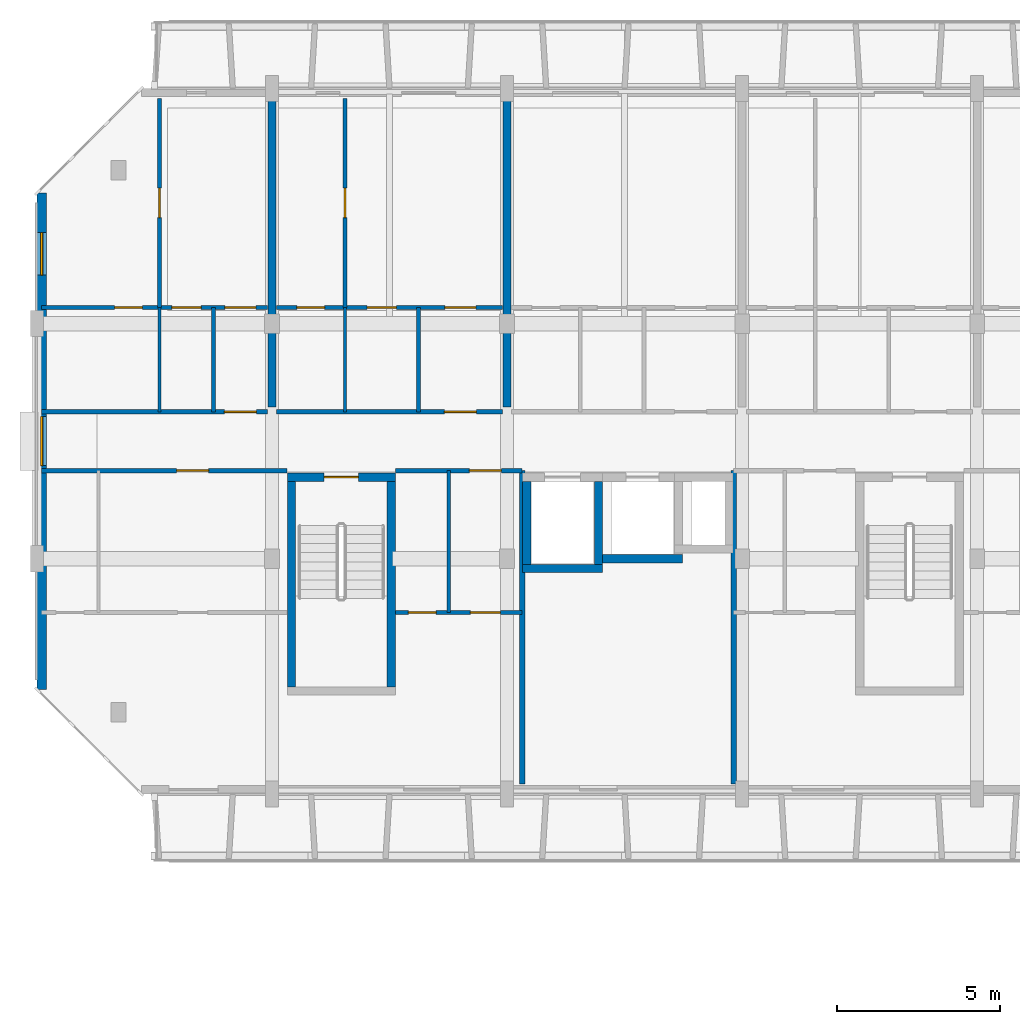
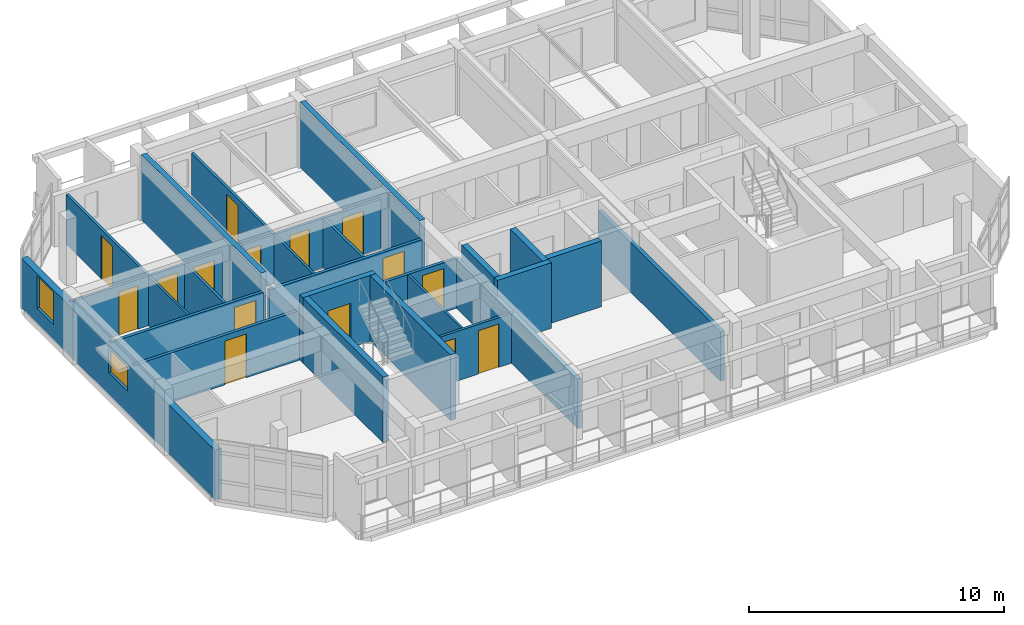
# One storey, part 20 of 45: 26 walls, 15 doors, 2 windows, 17 openings.
"""IFC4 building model written with IfcOpenShell, lengths in metres."""

import ifcopenshell
import ifcopenshell.guid

model = None  # the IFC model being written
_history = None  # IfcOwnerHistory: only IFC2X3 demands one
_inside = {}  # id of a spatial element -> (the spatial element, [elements in it])
_under = {}  # id of a project, library or spatial element -> (it, [spatial elements below it])
_declared = {}  # id of a project -> (the project, [libraries it declares])
_typed = {}  # id of a type object -> (the type object, [elements of that type])
_made_of = {}  # id of a material, layer set ... -> (it, [elements and type objects made of it])


def new_model(schema):
    """Start an empty IFC model of exactly this schema.

    Asked for "IFC4X3", IfcOpenShell would pick the latest addendum, in which some entities
    have other attributes; the version numbers below select the first issue.
    IFC2X3 requires an IfcOwnerHistory on every rooted entity: one is made here for all.
    """
    global model, _history
    if schema == "IFC4X3":
        model = ifcopenshell.file(schema_version=(4, 3, 0, 0))
    else:
        model = ifcopenshell.file(schema=schema)
    _inside.clear()
    _under.clear()
    _declared.clear()
    _typed.clear()
    _made_of.clear()
    _history = None
    if model.schema == "IFC2X3":
        org = make("IfcOrganization", Name="unknown")
        user = make(
            "IfcPersonAndOrganization",
            ThePerson=make("IfcPerson", FamilyName="unknown"),
            TheOrganization=org,
        )
        app = make(
            "IfcApplication",
            ApplicationDeveloper=org,
            Version="unknown",
            ApplicationFullName="unknown",
            ApplicationIdentifier="unknown",
        )
        _history = make(
            "IfcOwnerHistory",
            OwningUser=user,
            OwningApplication=app,
            ChangeAction="ADDED",
            CreationDate=0,
        )
    return model


def make(cls, **values):
    """One entity of the class cls with the attributes given. An attribute that is None is left unset."""
    return model.create_entity(
        cls, **{name: value for name, value in values.items() if value is not None}
    )


def rooted(cls, **values):
    """An entity with a GlobalId (a new one), such as an element, a storey or a relation."""
    return make(cls, GlobalId=ifcopenshell.guid.new(), OwnerHistory=_history, **values)


def si_unit(unit_type, name, prefix=None):
    """IfcSIUnit, for example si_unit("LENGTHUNIT", "METRE", prefix="MILLI")."""
    return make("IfcSIUnit", UnitType=unit_type, Prefix=prefix, Name=name)


def assignment(units):
    """IfcUnitAssignment: the units of a project."""
    return None if units is None else make("IfcUnitAssignment", Units=units)


def point(xyz):
    """IfcCartesianPoint."""
    return None if xyz is None else make("IfcCartesianPoint", Coordinates=xyz)


def direction(xyz):
    """IfcDirection."""
    return None if xyz is None else make("IfcDirection", DirectionRatios=xyz)


def frame(location, z_axis=None, x_axis=None):
    """IfcAxis2Placement3D, a coordinate frame: its origin and axes. An axis left out is left unset."""
    return make(
        "IfcAxis2Placement3D",
        Location=point(location),
        Axis=direction(z_axis),
        RefDirection=direction(x_axis),
    )


def frame_2d(location, x_axis=None):
    """IfcAxis2Placement2D, a coordinate frame in the plane: its origin and x axis."""
    return make(
        "IfcAxis2Placement2D", Location=point(location), RefDirection=direction(x_axis)
    )


def origin():
    """The frame at (0, 0, 0) with its axes left unset."""
    return frame((0.0, 0.0, 0.0))


def place(relative_to, where):
    """IfcLocalPlacement: puts the frame where relative to a parent placement (None: the world)."""
    return make(
        "IfcLocalPlacement", PlacementRelTo=relative_to, RelativePlacement=where
    )


def context(
    kind, dimensions, precision=None, world=None, true_north=None, identifier=None
):
    """IfcGeometricRepresentationContext, for example the 3D "Model" context."""
    return make(
        "IfcGeometricRepresentationContext",
        ContextIdentifier=identifier,
        ContextType=kind,
        CoordinateSpaceDimension=dimensions,
        Precision=precision,
        WorldCoordinateSystem=world,
        TrueNorth=true_north,
    )


def subcontext(parent, identifier, kind, view, scale=None):
    """IfcGeometricRepresentationSubContext, for example "Body" below "Model"."""
    return make(
        "IfcGeometricRepresentationSubContext",
        ContextIdentifier=identifier,
        ContextType=kind,
        ParentContext=parent,
        TargetScale=scale,
        TargetView=view,
    )


def project(units=None, contexts=None):
    """IfcProject with its units and contexts."""
    return rooted(
        "IfcProject",
        Name="project",
        RepresentationContexts=contexts,
        UnitsInContext=assignment(units),
    )


def spatial(cls, under=None, at=None, **own):
    """A site, building, storey or space (cls), placed at a placement, below another one or the project."""
    s = rooted(cls, ObjectPlacement=at, **own)
    if under is not None:
        _under.setdefault(under.id(), (under, []))[1].append(s)
    return s


def profile(cls, at=None, kind="AREA", **sizes):
    """A parametric profile (cls). Its sizes go by their IFC names, for example OverallWidth=200.0."""
    return make(cls, ProfileType=kind, Position=at, **sizes)


def rectangle(**sizes):
    """IfcRectangleProfileDef."""
    return profile("IfcRectangleProfileDef", **sizes)


def extrude(swept, where, along, depth):
    """IfcExtrudedAreaSolid: the profile swept, set in the frame where, extruded along a direction by depth."""
    return make(
        "IfcExtrudedAreaSolid",
        SweptArea=swept,
        Position=where,
        ExtrudedDirection=direction(along),
        Depth=depth,
    )


def shape(context_of_items, identifier, shape_type, items):
    """IfcShapeRepresentation: the items that make up one representation, for example the "Body"."""
    return make(
        "IfcShapeRepresentation",
        ContextOfItems=context_of_items,
        RepresentationIdentifier=identifier,
        RepresentationType=shape_type,
        Items=items,
    )


def material(Name=None, Category=None):
    """IfcMaterial."""
    return make("IfcMaterial", Name=Name, Category=Category)


def layer(
    of_material, thickness, ventilated=None, Name=None, Category=None, Priority=None
):
    """IfcMaterialLayer: one layer of a wall or slab, of a material (None: an air gap)."""
    return make(
        "IfcMaterialLayer",
        Material=of_material,
        LayerThickness=thickness,
        IsVentilated=ventilated,
        Name=Name,
        Category=Category,
        Priority=Priority,
    )


def layer_set(layers, Name=None):
    """IfcMaterialLayerSet."""
    return make("IfcMaterialLayerSet", MaterialLayers=layers, LayerSetName=Name)


def made_of(thing, what):
    """Note that an element or type object is made of a material, layer set ...; save() writes the relation."""
    if what is not None:
        _made_of.setdefault(what.id(), (what, []))[1].append(thing)
    return thing


def type_object(cls, material=None, **own):
    """A type object (cls), such as IfcWallType, which elements share."""
    return made_of(rooted(cls, **own), material)


def element(
    cls,
    number,
    at=None,
    inside=None,
    cuts=None,
    type_object=None,
    material=None,
    context=None,
    identifier="Body",
    shape_type=None,
    held_by="IfcProductDefinitionShape",
    body=None,
    shapes=None,
    **own,
):
    """One element of the class cls, such as IfcWall. Its Tag is "e" and its number.

    at: its placement. inside: the storey or other place that contains it. cuts: it is an
    opening in that element (IfcRelVoidsElement). A single representation is given by context,
    identifier, shape_type and body (its items); several are given by shapes. held_by: the class
    of the entity that holds the representations. save() writes the other relations.
    """
    e = rooted(cls, Tag="e%d" % number, ObjectPlacement=at, **own)
    if body is not None:
        shapes = [shape(context, identifier, shape_type, body)]
    if shapes is not None:
        e.Representation = make(held_by, Representations=shapes)
    if inside is not None:
        _inside.setdefault(inside.id(), (inside, []))[1].append(e)
    if cuts is not None:
        rooted(
            "IfcRelVoidsElement", RelatingBuildingElement=cuts, RelatedOpeningElement=e
        )
    if type_object is not None:
        _typed.setdefault(type_object.id(), (type_object, []))[1].append(e)
    return made_of(e, material)


def fill(opening, filler):
    """IfcRelFillsElement: the door or window that sits in an opening."""
    return rooted(
        "IfcRelFillsElement",
        RelatingOpeningElement=opening,
        RelatedBuildingElement=filler,
    )


def aggregate(whole, parts):
    """IfcRelAggregates: a whole, such as a stair, and the parts it consists of."""
    return rooted("IfcRelAggregates", RelatingObject=whole, RelatedObjects=parts)


def save(model, path):
    """Write the relations noted so far, then the file.

    IfcRelAggregates (storeys below a building ...), IfcRelContainedInSpatialStructure (elements
    in a storey), IfcRelDefinesByType, IfcRelAssociatesMaterial and IfcRelDeclares: one each for
    every whole, place, type object, material and project.
    """
    for whole, parts in _under.values():
        aggregate(whole, parts)
    for where, things in _inside.values():
        rooted(
            "IfcRelContainedInSpatialStructure",
            RelatedElements=things,
            RelatingStructure=where,
        )
    for kind, things in _typed.values():
        rooted("IfcRelDefinesByType", RelatedObjects=things, RelatingType=kind)
    for what, things in _made_of.values():
        rooted("IfcRelAssociatesMaterial", RelatedObjects=things, RelatingMaterial=what)
    for by, libraries in _declared.values():
        rooted("IfcRelDeclares", RelatingContext=by, RelatedDefinitions=libraries)
    model.write(path)


model = new_model("IFC4")

# Units and contexts
model_context = context("Model", 3, precision=1e-05, world=origin(), true_north=direction((0.0, 1.0)))
body_context = subcontext(model_context, "Body", "Model", "MODEL_VIEW")
ifc_project = project(units=[si_unit("LENGTHUNIT", "METRE"), si_unit("AREAUNIT", "SQUARE_METRE"), si_unit("VOLUMEUNIT", "CUBIC_METRE"), si_unit("PLANEANGLEUNIT", "RADIAN"), si_unit("MASSUNIT", "GRAM", prefix="KILO")], contexts=[model_context])

# Site, building, storey
site_placement = place(None, origin())
site = spatial("IfcSite", under=ifc_project, at=site_placement, CompositionType="ELEMENT")
building_placement = place(site_placement, origin())
building = spatial("IfcBuilding", under=site, at=building_placement, Name="Ochrevale Crest", CompositionType="ELEMENT")
storey_placement = place(building_placement, frame((0.0, 0.0, 18.14990234375)))
storey = spatial("IfcBuildingStorey", under=building, at=storey_placement, Name="L05", CompositionType="ELEMENT", Elevation=18.14990234375)

# Wall, opening, door
ifc_material_1 = material(Name="Gypsum plasterboard", Category="gypsum")
ifc_layer_1 = layer(ifc_material_1, 0.139892578125)
ifc_layer_set_1 = layer_set([ifc_layer_1], Name="Gypsum plasterboard")
wall_type_1 = type_object("IfcWallType", Name="WL-COR-140", PredefinedType="PARTITIONING", material=ifc_layer_set_1)
wall_1_placement = place(storey_placement, frame((0.139892578125, 83.699951171875, 0.0), z_axis=(0.0, 0.0, 1.0), x_axis=(1.0, 0.0, 0.0)))
wall_1 = element("IfcWall", 1, at=wall_1_placement, inside=storey, type_object=wall_type_1, Name="Apartment B-L05-U1 corridor wall", PredefinedType="PARTITIONING", context=body_context, shape_type="SweptSolid", body=[
    extrude(rectangle(XDim=6.920166015625, YDim=0.139892578125, at=frame_2d((3.4599609375, 0.0))), origin(), (0.0, 0.0, 1.0), 2.380126953125),
])
opening_1_placement = place(wall_1_placement, frame((5.60498046875, 0.0, 0.0)))
opening_1 = element("IfcOpeningElement", 2, at=opening_1_placement, cuts=wall_1, Name="Opening FD01", PredefinedType="OPENING", context=body_context, shape_type="SweptSolid", body=[
    extrude(rectangle(XDim=0.97998046875, YDim=2.10009765625, at=frame_2d((0.489990234375, 1.050048828125))), frame((0.0, 0.080078125, 0.0), z_axis=(0.0, -1.0, 0.0), x_axis=(1.0, 0.0, 0.0)), (0.0, 0.0, 1.0), 0.159912109375),
])
ifc_material_2 = material(Name="Solid-core FSC hardwood", Category="wood")
door_type_1 = type_object("IfcDoorType", Name="DR-APT-950", OperationType="NOTDEFINED", PredefinedType="DOOR", material=ifc_material_2)
door_1_placement = place(opening_1_placement, origin())
door_1 = element("IfcDoor", 3, at=door_1_placement, inside=storey, type_object=door_type_1, Name="Apartment B-L05-U1 entrance door", OperationType="SINGLE_SWING_LEFT", OverallHeight=2.10009765625, OverallWidth=0.97998046875, PredefinedType="DOOR", context=body_context, shape_type="SweptSolid", body=[
    extrude(rectangle(XDim=0.97998046875, YDim=2.10009765625, at=frame_2d((0.489990234375, 1.050048828125))), frame((0.0, 0.02490234375, 0.0), z_axis=(0.0, -1.0, 0.0), x_axis=(1.0, 0.0, 0.0)), (0.0, 0.0, 1.0), 0.050048828125),
])
fill(opening_1, door_1)

wall_2_placement = place(storey_placement, frame((7.340087890625, 83.699951171875, 0.0), z_axis=(0.0, 0.0, 1.0), x_axis=(1.0, 0.0, 0.0)))
wall_2 = element("IfcWall", 4, at=wall_2_placement, inside=storey, type_object=wall_type_1, Name="Apartment B-L05-U2 corridor wall", PredefinedType="PARTITIONING", context=body_context, shape_type="SweptSolid", body=[
    extrude(rectangle(XDim=6.919921875, YDim=0.139892578125, at=frame_2d((3.4599609375, 0.0))), origin(), (0.0, 0.0, 1.0), 2.380126953125),
])
opening_2_placement = place(wall_2_placement, frame((6.125, 0.0, 0.0), z_axis=(0.0, 0.0, 1.0), x_axis=(-1.0, 0.0, 0.0)))
opening_2 = element("IfcOpeningElement", 5, at=opening_2_placement, cuts=wall_2, Name="Opening FD01", PredefinedType="OPENING", context=body_context, shape_type="SweptSolid", body=[
    extrude(rectangle(XDim=0.97998046875, YDim=2.10009765625, at=frame_2d((0.489990234375, 1.050048828125))), frame((0.0, 0.080078125, 0.0), z_axis=(0.0, -1.0, 0.0), x_axis=(1.0, 0.0, 0.0)), (0.0, 0.0, 1.0), 0.159912109375),
])
door_2_placement = place(opening_2_placement, origin())
door_2 = element("IfcDoor", 6, at=door_2_placement, inside=storey, type_object=door_type_1, Name="Apartment B-L05-U2 entrance door", OperationType="SINGLE_SWING_RIGHT", OverallHeight=2.10009765625, OverallWidth=0.97998046875, PredefinedType="DOOR", context=body_context, shape_type="SweptSolid", body=[
    extrude(rectangle(XDim=0.97998046875, YDim=2.10009765625, at=frame_2d((0.489990234375, 1.050048828125))), frame((0.0, 0.02490234375, 0.0), z_axis=(0.0, -1.0, 0.0), x_axis=(1.0, 0.0, 0.0)), (0.0, 0.0, 1.0), 0.050048828125),
])
fill(opening_2, door_2)

wall_3_placement = place(storey_placement, frame((0.139892578125, 81.89990234375, 0.0), z_axis=(0.0, 0.0, 1.0), x_axis=(1.0, 0.0, 0.0)))
wall_3 = element("IfcWall", 7, at=wall_3_placement, inside=storey, type_object=wall_type_1, Name="Suite B-L05-CW corridor wall", PredefinedType="PARTITIONING", context=body_context, shape_type="SweptSolid", body=[
    extrude(rectangle(XDim=7.52001953125, YDim=0.139892578125, at=frame_2d((3.760009765625, 0.0))), origin(), (0.0, 0.0, 1.0), 2.380126953125),
])
opening_3_placement = place(wall_3_placement, frame((5.125, 0.0, 0.0), z_axis=(0.0, 0.0, 1.0), x_axis=(-1.0, 0.0, 0.0)))
opening_3 = element("IfcOpeningElement", 8, at=opening_3_placement, cuts=wall_3, Name="Opening FD01", PredefinedType="OPENING", context=body_context, shape_type="SweptSolid", body=[
    extrude(rectangle(XDim=0.97998046875, YDim=2.10009765625, at=frame_2d((0.489990234375, 1.050048828125))), frame((0.0, 0.080078125, 0.0), z_axis=(0.0, -1.0, 0.0), x_axis=(1.0, 0.0, 0.0)), (0.0, 0.0, 1.0), 0.159912109375),
])
door_3_placement = place(opening_3_placement, origin())
door_3 = element("IfcDoor", 9, at=door_3_placement, inside=storey, type_object=door_type_1, Name="Suite B-L05-CW entrance door", OperationType="SINGLE_SWING_RIGHT", OverallHeight=2.10009765625, OverallWidth=0.97998046875, PredefinedType="DOOR", context=body_context, shape_type="SweptSolid", body=[
    extrude(rectangle(XDim=0.97998046875, YDim=2.10009765625, at=frame_2d((0.489990234375, 1.050048828125))), frame((0.0, 0.02490234375, 0.0), z_axis=(0.0, -1.0, 0.0), x_axis=(1.0, 0.0, 0.0)), (0.0, 0.0, 1.0), 0.050048828125),
])
fill(opening_3, door_3)

wall_4_placement = place(storey_placement, frame((10.989990234375, 81.89990234375, 0.0), z_axis=(0.0, 0.0, 1.0), x_axis=(1.0, 0.0, 0.0)))
wall_4 = element("IfcWall", 10, at=wall_4_placement, inside=storey, type_object=wall_type_1, Name="Suite B-L05-MW corridor wall", PredefinedType="PARTITIONING", context=body_context, shape_type="SweptSolid", body=[
    extrude(rectangle(XDim=3.8701171875, YDim=0.139892578125, at=frame_2d((1.93505859375, 0.0))), origin(), (0.0, 0.0, 1.0), 2.380126953125),
])
opening_4_placement = place(wall_4_placement, frame((2.2578125, 0.0, 0.0)))
opening_4 = element("IfcOpeningElement", 11, at=opening_4_placement, cuts=wall_4, Name="Opening FD01", PredefinedType="OPENING", context=body_context, shape_type="SweptSolid", body=[
    extrude(rectangle(XDim=0.97998046875, YDim=2.10009765625, at=frame_2d((0.489990234375, 1.050048828125))), frame((0.0, 0.080078125, 0.0), z_axis=(0.0, -1.0, 0.0), x_axis=(1.0, 0.0, 0.0)), (0.0, 0.0, 1.0), 0.159912109375),
])
door_4_placement = place(opening_4_placement, origin())
door_4 = element("IfcDoor", 12, at=door_4_placement, inside=storey, type_object=door_type_1, Name="Suite B-L05-MW entrance door", OperationType="SINGLE_SWING_LEFT", OverallHeight=2.10009765625, OverallWidth=0.97998046875, PredefinedType="DOOR", context=body_context, shape_type="SweptSolid", body=[
    extrude(rectangle(XDim=0.97998046875, YDim=2.10009765625, at=frame_2d((0.489990234375, 1.050048828125))), frame((0.0, 0.02490234375, 0.0), z_axis=(0.0, -1.0, 0.0), x_axis=(1.0, 0.0, 0.0)), (0.0, 0.0, 1.0), 0.050048828125),
])
fill(opening_4, door_4)

ifc_material_3 = material(Name="Precast concrete C50/60", Category="concrete")
ifc_layer_2 = layer(ifc_material_3, 0.2548828125)
ifc_layer_set_2 = layer_set([ifc_layer_2], Name="Precast concrete C50/60")
wall_type_2 = type_object("IfcWallType", Name="WL-CORE-255", PredefinedType="SHEAR", material=ifc_layer_set_2)
wall_5_placement = place(storey_placement, frame((7.672607421875, 81.699951171875, 0.0), z_axis=(0.0, 0.0, 1.0), x_axis=(1.0, 0.0, 0.0)))
wall_5 = element("IfcWall", 13, at=wall_5_placement, inside=storey, type_object=wall_type_2, Name="Block B L05 Stair 1 precast core shear wall N", PredefinedType="SHEAR", context=body_context, shape_type="SweptSolid", body=[
    extrude(rectangle(XDim=3.304931640625, YDim=0.2548828125, at=frame_2d((1.65234375, 0.0))), origin(), (0.0, 0.0, 1.0), 3.150146484375),
])
opening_5_placement = place(wall_5_placement, frame((2.177490234375, 0.0, 0.0), z_axis=(0.0, 0.0, 1.0), x_axis=(-1.0, 0.0, 0.0)))
opening_5 = element("IfcOpeningElement", 14, at=opening_5_placement, cuts=wall_5, Name="Opening FD03", PredefinedType="OPENING", context=body_context, shape_type="SweptSolid", body=[
    extrude(rectangle(XDim=1.050048828125, YDim=2.1201171875, at=frame_2d((0.52490234375, 1.06005859375))), frame((0.0, 0.137451171875, 0.0), z_axis=(0.0, -1.0, 0.0), x_axis=(1.0, 0.0, 0.0)), (0.0, 0.0, 1.0), 0.27490234375),
])
door_type_2 = type_object("IfcDoorType", Name="DR-ST-1050", OperationType="NOTDEFINED", PredefinedType="DOOR", material=ifc_material_2)
door_5_placement = place(opening_5_placement, origin())
door_5 = element("IfcDoor", 15, at=door_5_placement, inside=storey, type_object=door_type_2, Name="Block B L05 fire stair 1 door", OperationType="SINGLE_SWING_RIGHT", OverallHeight=2.1201171875, OverallWidth=1.050048828125, PredefinedType="DOOR", context=body_context, shape_type="SweptSolid", body=[
    extrude(rectangle(XDim=1.050048828125, YDim=2.1201171875, at=frame_2d((0.52490234375, 1.06005859375))), frame((0.0, 0.02490234375, 0.0), z_axis=(0.0, -1.0, 0.0), x_axis=(1.0, 0.0, 0.0)), (0.0, 0.0, 1.0), 0.050048828125),
])
fill(opening_5, door_5)

# Walls
for number, where, z_axis, x_axis, name in (
    (16, (7.800048828125, 75.277587890625, 0.0), (0.0, 0.0, 1.0), (0.0, 1.0, 0.0), "Block B L05 Stair 1 precast core shear wall W"),
    (17, (10.85009765625, 75.277587890625, 0.0), (0.0, 0.0, 1.0), (0.0, 1.0, 0.0), "Block B L05 Stair 1 precast core shear wall E"),
):
    element("IfcWall", number, at=place(storey_placement, frame(where, z_axis=z_axis, x_axis=x_axis)), inside=storey, type_object=wall_type_2, Name=name, PredefinedType="SHEAR", context=body_context, shape_type="SweptSolid", body=[
        extrude(rectangle(XDim=6.294921875, YDim=0.2548828125, at=frame_2d((3.1474609375, 0.0))), origin(), (0.0, 0.0, 1.0), 3.150146484375),
    ])
wall_6_placement = place(storey_placement, frame((14.87255859375, 78.89990234375, 0.0), z_axis=(0.0, 0.0, 1.0), x_axis=(1.0, 0.0, 0.0)))
element("IfcWall", 18, at=wall_6_placement, inside=storey, type_object=wall_type_2, Name="Block B L05 Lift 1 precast shaft shear wall S", PredefinedType="SHEAR", context=body_context, shape_type="SweptSolid", body=[
    extrude(rectangle(XDim=2.454833984375, YDim=0.2548828125, at=frame_2d((1.2275390625, 0.0))), origin(), (0.0, 0.0, 1.0), 3.150146484375),
])
for number, where, z_axis, x_axis, name in (
    (19, (15.0, 79.027587890625, 0.0), (0.0, 0.0, 1.0), (0.0, 1.0, 0.0), "Block B L05 Lift 1 precast shaft shear wall W"),
    (20, (17.199951171875, 79.027587890625, 0.0), (0.0, 0.0, 1.0), (0.0, 1.0, 0.0), "Block B L05 Lift 1 precast shaft shear wall E"),
):
    element("IfcWall", number, at=place(storey_placement, frame(where, z_axis=z_axis, x_axis=x_axis)), inside=storey, type_object=wall_type_2, Name=name, PredefinedType="SHEAR", context=body_context, shape_type="SweptSolid", body=[
        extrude(rectangle(XDim=2.544921875, YDim=0.2548828125, at=frame_2d((1.2724609375, 0.0))), origin(), (0.0, 0.0, 1.0), 3.150146484375),
    ])
wall_7_placement = place(storey_placement, frame((17.322509765625, 79.199951171875, 0.0), z_axis=(0.0, 0.0, 1.0), x_axis=(1.0, 0.0, 0.0)))
element("IfcWall", 21, at=wall_7_placement, inside=storey, type_object=wall_type_2, Name="Block B L05 Lift 2 precast shaft shear wall S", PredefinedType="SHEAR", context=body_context, shape_type="SweptSolid", body=[
    extrude(rectangle(XDim=2.455078125, YDim=0.2548828125, at=frame_2d((1.2275390625, 0.0))), origin(), (0.0, 0.0, 1.0), 3.150146484375),
])

# Wall, openings, windows
ifc_material_4 = material(Name="Clay face brickwork", Category="masonry")
ifc_layer_3 = layer(ifc_material_4, 0.2900390625)
ifc_layer_set_3 = layer_set([ifc_layer_3], Name="Clay face brickwork")
wall_type_3 = type_object("IfcWallType", Name="WL-EXT-BRICK-290", PredefinedType="SOLIDWALL", material=ifc_layer_set_3)
wall_8_placement = place(storey_placement, frame((0.14501953125, 90.39990234375, 0.0), z_axis=(0.0, 0.0, 1.0), x_axis=(0.0, -1.0, 0.0)))
wall_8 = element("IfcWall", 22, at=wall_8_placement, inside=storey, type_object=wall_type_3, Name="Block B L05 external facade wall E7", PredefinedType="SOLIDWALL", context=body_context, shape_type="SweptSolid", body=[
    extrude(rectangle(XDim=15.199951171875, YDim=0.2900390625, at=frame_2d((7.60009765625, 0.0))), origin(), (0.0, 0.0, 1.0), 2.380126953125),
])
opening_6_placement = place(wall_8_placement, frame((6.85009765625, 0.0, 1.050048828125)))
opening_6 = element("IfcOpeningElement", 23, at=opening_6_placement, cuts=wall_8, Name="Opening W18", PredefinedType="OPENING", context=body_context, shape_type="SweptSolid", body=[
    extrude(rectangle(XDim=1.5, YDim=1.14990234375, at=frame_2d((0.75, 0.574951171875))), frame((0.0, 0.155029296875, 0.0), z_axis=(0.0, -1.0, 0.0), x_axis=(1.0, 0.0, 0.0)), (0.0, 0.0, 1.0), 0.31005859375),
])
opening_7_placement = place(wall_8_placement, frame((1.215087890625, 0.0, 0.719970703125)))
opening_7 = element("IfcOpeningElement", 24, at=opening_7_placement, cuts=wall_8, Name="Opening W30", PredefinedType="OPENING", context=body_context, shape_type="SweptSolid", body=[
    extrude(rectangle(XDim=1.300048828125, YDim=1.550048828125, at=frame_2d((0.64990234375, 0.77490234375))), frame((0.0, 0.155029296875, 0.0), z_axis=(0.0, -1.0, 0.0), x_axis=(1.0, 0.0, 0.0)), (0.0, 0.0, 1.0), 0.31005859375),
])
ifc_material_5 = material(Name="Anodised aluminium 6063-T5 and low-E double glazing", Category="aluminium")
window_type_1 = type_object("IfcWindowType", Name="WIN-W18", PartitioningType="SINGLE_PANEL", PredefinedType="WINDOW", material=ifc_material_5)
window_1_placement = place(opening_6_placement, origin())
window_1 = element("IfcWindow", 25, at=window_1_placement, inside=storey, type_object=window_type_1, Name="Block B L05 corridor end daylight window W", OverallHeight=1.14990234375, OverallWidth=1.5, PartitioningType="SINGLE_PANEL", PredefinedType="WINDOW", context=body_context, shape_type="SweptSolid", body=[
    extrude(rectangle(XDim=1.5, YDim=1.14990234375, at=frame_2d((0.75, 0.574951171875))), frame((0.0, 0.030029296875, 0.0), z_axis=(0.0, -1.0, 0.0), x_axis=(1.0, 0.0, 0.0)), (0.0, 0.0, 1.0), 0.06005859375),
])
fill(opening_6, window_1)
window_type_2 = type_object("IfcWindowType", Name="WIN-W30", PartitioningType="SINGLE_PANEL", PredefinedType="WINDOW", material=ifc_material_5)
window_2_placement = place(opening_7_placement, origin())
window_2 = element("IfcWindow", 26, at=window_2_placement, inside=storey, type_object=window_type_2, Name="Block B L05 side suite window W", OverallHeight=1.550048828125, OverallWidth=1.300048828125, PartitioningType="SINGLE_PANEL", PredefinedType="WINDOW", context=body_context, shape_type="SweptSolid", body=[
    extrude(rectangle(XDim=1.300048828125, YDim=1.550048828125, at=frame_2d((0.64990234375, 0.77490234375))), frame((0.0, 0.030029296875, 0.0), z_axis=(0.0, -1.0, 0.0), x_axis=(1.0, 0.0, 0.0)), (0.0, 0.0, 1.0), 0.06005859375),
])
fill(opening_7, window_2)

# Wall
ifc_layer_4 = layer(ifc_material_1, 0.1201171875)
ifc_layer_set_4 = layer_set([ifc_layer_4], Name="Gypsum plasterboard")
wall_type_4 = type_object("IfcWallType", Name="WL-PART-120", PredefinedType="PARTITIONING", material=ifc_layer_set_4)
wall_9_placement = place(storey_placement, frame((5.409912109375, 83.699951171875, 0.0), z_axis=(0.0, 0.0, 1.0), x_axis=(0.0, 1.0, 0.0)))
element("IfcWall", 27, at=wall_9_placement, inside=storey, type_object=wall_type_4, Name="Apartment B-L05-U1 kitchen-foyer wall", PredefinedType="PARTITIONING", context=body_context, shape_type="SweptSolid", body=[
    extrude(rectangle(XDim=3.199951171875, YDim=0.1201171875, at=frame_2d((1.60009765625, 0.0))), origin(), (0.0, 0.0, 1.0), 2.375),
])

# Wall, openings, doors
wall_10_placement = place(storey_placement, frame((0.139892578125, 86.89990234375, 0.0), z_axis=(0.0, 0.0, 1.0), x_axis=(1.0, 0.0, 0.0)))
wall_10 = element("IfcWall", 28, at=wall_10_placement, inside=storey, type_object=wall_type_4, Name="Apartment B-L05-U1 central partition", PredefinedType="PARTITIONING", context=body_context, shape_type="SweptSolid", body=[
    extrude(rectangle(XDim=6.920166015625, YDim=0.1201171875, at=frame_2d((3.4599609375, 0.0))), origin(), (0.0, 0.0, 1.0), 2.380126953125),
])
opening_8_placement = place(wall_10_placement, frame((3.090087890625, 0.0, 0.0), z_axis=(0.0, 0.0, 1.0), x_axis=(-1.0, 0.0, 0.0)))
opening_8 = element("IfcOpeningElement", 29, at=opening_8_placement, cuts=wall_10, Name="Opening ID01", PredefinedType="OPENING", context=body_context, shape_type="SweptSolid", body=[
    extrude(rectangle(XDim=0.85009765625, YDim=2.080078125, at=frame_2d((0.425048828125, 1.0400390625))), frame((0.0, 0.070068359375, 0.0), z_axis=(0.0, -1.0, 0.0), x_axis=(1.0, 0.0, 0.0)), (0.0, 0.0, 1.0), 0.14013671875),
])
opening_9_placement = place(wall_10_placement, frame((3.9951171875, 0.0, 0.0)))
opening_9 = element("IfcOpeningElement", 30, at=opening_9_placement, cuts=wall_10, Name="Opening ID02", PredefinedType="OPENING", context=body_context, shape_type="SweptSolid", body=[
    extrude(rectangle(XDim=0.89990234375, YDim=2.080078125, at=frame_2d((0.449951171875, 1.0400390625))), frame((0.0, 0.070068359375, 0.0), z_axis=(0.0, -1.0, 0.0), x_axis=(1.0, 0.0, 0.0)), (0.0, 0.0, 1.0), 0.14013671875),
])
opening_10_placement = place(wall_10_placement, frame((6.570068359375, 0.0, 0.0), z_axis=(0.0, 0.0, 1.0), x_axis=(-1.0, 0.0, 0.0)))
opening_10 = element("IfcOpeningElement", 31, at=opening_10_placement, cuts=wall_10, Name="Opening ID06", PredefinedType="OPENING", context=body_context, shape_type="SweptSolid", body=[
    extrude(rectangle(XDim=0.949951171875, YDim=2.080078125, at=frame_2d((0.47509765625, 1.0400390625))), frame((0.0, 0.070068359375, 0.0), z_axis=(0.0, -1.0, 0.0), x_axis=(1.0, 0.0, 0.0)), (0.0, 0.0, 1.0), 0.14013671875),
])
door_type_3 = type_object("IfcDoorType", Name="DR-INT-900", OperationType="NOTDEFINED", PredefinedType="DOOR", material=ifc_material_2)
door_6_placement = place(opening_9_placement, origin())
door_6 = element("IfcDoor", 32, at=door_6_placement, inside=storey, type_object=door_type_3, Name="Apartment B-L05-U1 Kitchen door", OperationType="SINGLE_SWING_LEFT", OverallHeight=2.080078125, OverallWidth=0.89990234375, PredefinedType="DOOR", context=body_context, shape_type="SweptSolid", body=[
    extrude(rectangle(XDim=0.89990234375, YDim=2.080078125, at=frame_2d((0.449951171875, 1.0400390625))), frame((0.0, 0.02490234375, 0.0), z_axis=(0.0, -1.0, 0.0), x_axis=(1.0, 0.0, 0.0)), (0.0, 0.0, 1.0), 0.050048828125),
])
fill(opening_9, door_6)
door_type_4 = type_object("IfcDoorType", Name="DR-INT-950", OperationType="NOTDEFINED", PredefinedType="DOOR", material=ifc_material_2)
door_7_placement = place(opening_10_placement, origin())
door_7 = element("IfcDoor", 33, at=door_7_placement, inside=storey, type_object=door_type_4, Name="Apartment B-L05-U1 Living Foyer door", OperationType="SINGLE_SWING_RIGHT", OverallHeight=2.080078125, OverallWidth=0.949951171875, PredefinedType="DOOR", context=body_context, shape_type="SweptSolid", body=[
    extrude(rectangle(XDim=0.949951171875, YDim=2.080078125, at=frame_2d((0.47509765625, 1.0400390625))), frame((0.0, 0.02490234375, 0.0), z_axis=(0.0, -1.0, 0.0), x_axis=(1.0, 0.0, 0.0)), (0.0, 0.0, 1.0), 0.050048828125),
])
fill(opening_10, door_7)
door_type_5 = type_object("IfcDoorType", Name="DR-WC-850", OperationType="NOTDEFINED", PredefinedType="DOOR", material=ifc_material_2)
door_8_placement = place(opening_8_placement, origin())
door_8 = element("IfcDoor", 34, at=door_8_placement, inside=storey, type_object=door_type_5, Name="Apartment B-L05-U1 Bathroom door", OperationType="SINGLE_SWING_RIGHT", OverallHeight=2.080078125, OverallWidth=0.85009765625, PredefinedType="DOOR", context=body_context, shape_type="SweptSolid", body=[
    extrude(rectangle(XDim=0.85009765625, YDim=2.080078125, at=frame_2d((0.425048828125, 1.0400390625))), frame((0.0, 0.02490234375, 0.0), z_axis=(0.0, -1.0, 0.0), x_axis=(1.0, 0.0, 0.0)), (0.0, 0.0, 1.0), 0.050048828125),
])
fill(opening_8, door_8)

# Wall, opening, door
wall_11_placement = place(storey_placement, frame((3.760009765625, 86.89990234375, 0.0), z_axis=(0.0, 0.0, 1.0), x_axis=(0.0, 1.0, 0.0)))
wall_11 = element("IfcWall", 35, at=wall_11_placement, inside=storey, type_object=wall_type_4, Name="Apartment B-L05-U1 bedroom partition", PredefinedType="PARTITIONING", context=body_context, shape_type="SweptSolid", body=[
    extrude(rectangle(XDim=6.400146484375, YDim=0.1201171875, at=frame_2d((3.2001953125, 0.0))), origin(), (0.0, 0.0, 1.0), 2.380126953125),
])
opening_11_placement = place(wall_11_placement, frame((2.75, 0.0, 0.0)))
opening_11 = element("IfcOpeningElement", 36, at=opening_11_placement, cuts=wall_11, Name="Opening ID02", PredefinedType="OPENING", context=body_context, shape_type="SweptSolid", body=[
    extrude(rectangle(XDim=0.89990234375, YDim=2.080078125, at=frame_2d((0.449951171875, 1.0400390625))), frame((0.0, 0.070068359375, 0.0), z_axis=(0.0, -1.0, 0.0), x_axis=(1.0, 0.0, 0.0)), (0.0, 0.0, 1.0), 0.14013671875),
])
door_9_placement = place(opening_11_placement, origin())
door_9 = element("IfcDoor", 37, at=door_9_placement, inside=storey, type_object=door_type_3, Name="Apartment B-L05-U1 Master Bedroom door", OperationType="SINGLE_SWING_LEFT", OverallHeight=2.080078125, OverallWidth=0.89990234375, PredefinedType="DOOR", context=body_context, shape_type="SweptSolid", body=[
    extrude(rectangle(XDim=0.89990234375, YDim=2.080078125, at=frame_2d((0.449951171875, 1.0400390625))), frame((0.0, 0.02490234375, 0.0), z_axis=(0.0, -1.0, 0.0), x_axis=(1.0, 0.0, 0.0)), (0.0, 0.0, 1.0), 0.050048828125),
])
fill(opening_11, door_9)

# Wall
wall_12_placement = place(storey_placement, frame((11.68994140625, 83.699951171875, 0.0), z_axis=(0.0, 0.0, 1.0), x_axis=(0.0, 1.0, 0.0)))
element("IfcWall", 38, at=wall_12_placement, inside=storey, type_object=wall_type_4, Name="Apartment B-L05-U2 kitchen-foyer wall", PredefinedType="PARTITIONING", context=body_context, shape_type="SweptSolid", body=[
    extrude(rectangle(XDim=3.199951171875, YDim=0.1201171875, at=frame_2d((1.60009765625, 0.0))), origin(), (0.0, 0.0, 1.0), 2.375),
])

# Wall, openings, doors
wall_13_placement = place(storey_placement, frame((7.340087890625, 86.89990234375, 0.0), z_axis=(0.0, 0.0, 1.0), x_axis=(1.0, 0.0, 0.0)))
wall_13 = element("IfcWall", 39, at=wall_13_placement, inside=storey, type_object=wall_type_4, Name="Apartment B-L05-U2 central partition", PredefinedType="PARTITIONING", context=body_context, shape_type="SweptSolid", body=[
    extrude(rectangle(XDim=6.919921875, YDim=0.1201171875, at=frame_2d((3.4599609375, 0.0))), origin(), (0.0, 0.0, 1.0), 2.380126953125),
])
opening_12_placement = place(wall_13_placement, frame((0.625, 0.0, 0.0)))
opening_12 = element("IfcOpeningElement", 40, at=opening_12_placement, cuts=wall_13, Name="Opening ID01", PredefinedType="OPENING", context=body_context, shape_type="SweptSolid", body=[
    extrude(rectangle(XDim=0.85009765625, YDim=2.080078125, at=frame_2d((0.425048828125, 1.0400390625))), frame((0.0, 0.070068359375, 0.0), z_axis=(0.0, -1.0, 0.0), x_axis=(1.0, 0.0, 0.0)), (0.0, 0.0, 1.0), 0.14013671875),
])
opening_13_placement = place(wall_13_placement, frame((3.6748046875, 0.0, 0.0), z_axis=(0.0, 0.0, 1.0), x_axis=(-1.0, 0.0, 0.0)))
opening_13 = element("IfcOpeningElement", 41, at=opening_13_placement, cuts=wall_13, Name="Opening ID02", PredefinedType="OPENING", context=body_context, shape_type="SweptSolid", body=[
    extrude(rectangle(XDim=0.89990234375, YDim=2.080078125, at=frame_2d((0.449951171875, 1.0400390625))), frame((0.0, 0.070068359375, 0.0), z_axis=(0.0, -1.0, 0.0), x_axis=(1.0, 0.0, 0.0)), (0.0, 0.0, 1.0), 0.14013671875),
])
opening_14_placement = place(wall_13_placement, frame((5.159912109375, 0.0, 0.0)))
opening_14 = element("IfcOpeningElement", 42, at=opening_14_placement, cuts=wall_13, Name="Opening ID06", PredefinedType="OPENING", context=body_context, shape_type="SweptSolid", body=[
    extrude(rectangle(XDim=0.949951171875, YDim=2.080078125, at=frame_2d((0.47509765625, 1.0400390625))), frame((0.0, 0.070068359375, 0.0), z_axis=(0.0, -1.0, 0.0), x_axis=(1.0, 0.0, 0.0)), (0.0, 0.0, 1.0), 0.14013671875),
])
door_10_placement = place(opening_13_placement, origin())
door_10 = element("IfcDoor", 43, at=door_10_placement, inside=storey, type_object=door_type_3, Name="Apartment B-L05-U2 Kitchen door", OperationType="SINGLE_SWING_RIGHT", OverallHeight=2.080078125, OverallWidth=0.89990234375, PredefinedType="DOOR", context=body_context, shape_type="SweptSolid", body=[
    extrude(rectangle(XDim=0.89990234375, YDim=2.080078125, at=frame_2d((0.449951171875, 1.0400390625))), frame((0.0, 0.02490234375, 0.0), z_axis=(0.0, -1.0, 0.0), x_axis=(1.0, 0.0, 0.0)), (0.0, 0.0, 1.0), 0.050048828125),
])
fill(opening_13, door_10)
door_11_placement = place(opening_14_placement, origin())
door_11 = element("IfcDoor", 44, at=door_11_placement, inside=storey, type_object=door_type_4, Name="Apartment B-L05-U2 Living Foyer door", OperationType="SINGLE_SWING_LEFT", OverallHeight=2.080078125, OverallWidth=0.949951171875, PredefinedType="DOOR", context=body_context, shape_type="SweptSolid", body=[
    extrude(rectangle(XDim=0.949951171875, YDim=2.080078125, at=frame_2d((0.47509765625, 1.0400390625))), frame((0.0, 0.02490234375, 0.0), z_axis=(0.0, -1.0, 0.0), x_axis=(1.0, 0.0, 0.0)), (0.0, 0.0, 1.0), 0.050048828125),
])
fill(opening_14, door_11)
door_12_placement = place(opening_12_placement, origin())
door_12 = element("IfcDoor", 45, at=door_12_placement, inside=storey, type_object=door_type_5, Name="Apartment B-L05-U2 Bathroom door", OperationType="SINGLE_SWING_LEFT", OverallHeight=2.080078125, OverallWidth=0.85009765625, PredefinedType="DOOR", context=body_context, shape_type="SweptSolid", body=[
    extrude(rectangle(XDim=0.85009765625, YDim=2.080078125, at=frame_2d((0.425048828125, 1.0400390625))), frame((0.0, 0.02490234375, 0.0), z_axis=(0.0, -1.0, 0.0), x_axis=(1.0, 0.0, 0.0)), (0.0, 0.0, 1.0), 0.050048828125),
])
fill(opening_12, door_12)

# Wall, opening, door
wall_14_placement = place(storey_placement, frame((9.43994140625, 86.89990234375, 0.0), z_axis=(0.0, 0.0, 1.0), x_axis=(0.0, 1.0, 0.0)))
wall_14 = element("IfcWall", 46, at=wall_14_placement, inside=storey, type_object=wall_type_4, Name="Apartment B-L05-U2 bedroom partition", PredefinedType="PARTITIONING", context=body_context, shape_type="SweptSolid", body=[
    extrude(rectangle(XDim=6.400146484375, YDim=0.1201171875, at=frame_2d((3.2001953125, 0.0))), origin(), (0.0, 0.0, 1.0), 2.380126953125),
])
opening_15_placement = place(wall_14_placement, frame((3.64990234375, 0.0, 0.0), z_axis=(0.0, 0.0, 1.0), x_axis=(-1.0, 0.0, 0.0)))
opening_15 = element("IfcOpeningElement", 47, at=opening_15_placement, cuts=wall_14, Name="Opening ID02", PredefinedType="OPENING", context=body_context, shape_type="SweptSolid", body=[
    extrude(rectangle(XDim=0.89990234375, YDim=2.080078125, at=frame_2d((0.449951171875, 1.0400390625))), frame((0.0, 0.070068359375, 0.0), z_axis=(0.0, -1.0, 0.0), x_axis=(1.0, 0.0, 0.0)), (0.0, 0.0, 1.0), 0.14013671875),
])
door_13_placement = place(opening_15_placement, origin())
door_13 = element("IfcDoor", 48, at=door_13_placement, inside=storey, type_object=door_type_3, Name="Apartment B-L05-U2 Twin Bedroom door", OperationType="SINGLE_SWING_RIGHT", OverallHeight=2.080078125, OverallWidth=0.89990234375, PredefinedType="DOOR", context=body_context, shape_type="SweptSolid", body=[
    extrude(rectangle(XDim=0.89990234375, YDim=2.080078125, at=frame_2d((0.449951171875, 1.0400390625))), frame((0.0, 0.02490234375, 0.0), z_axis=(0.0, -1.0, 0.0), x_axis=(1.0, 0.0, 0.0)), (0.0, 0.0, 1.0), 0.050048828125),
])
fill(opening_15, door_13)

# Wall, openings, doors
wall_15_placement = place(storey_placement, frame((10.989990234375, 77.550048828125, 0.0), z_axis=(0.0, 0.0, 1.0), x_axis=(1.0, 0.0, 0.0)))
wall_15 = element("IfcWall", 49, at=wall_15_placement, inside=storey, type_object=wall_type_4, Name="Suite B-L05-MW internal wall", PredefinedType="PARTITIONING", context=body_context, shape_type="SweptSolid", body=[
    extrude(rectangle(XDim=3.8701171875, YDim=0.1201171875, at=frame_2d((1.93505859375, 0.0))), origin(), (0.0, 0.0, 1.0), 2.380126953125),
])
opening_16_placement = place(wall_15_placement, frame((1.23779296875, 0.0, 0.0), z_axis=(0.0, 0.0, 1.0), x_axis=(-1.0, 0.0, 0.0)))
opening_16 = element("IfcOpeningElement", 50, at=opening_16_placement, cuts=wall_15, Name="Opening ID01", PredefinedType="OPENING", context=body_context, shape_type="SweptSolid", body=[
    extrude(rectangle(XDim=0.85009765625, YDim=2.080078125, at=frame_2d((0.425048828125, 1.0400390625))), frame((0.0, 0.070068359375, 0.0), z_axis=(0.0, -1.0, 0.0), x_axis=(1.0, 0.0, 0.0)), (0.0, 0.0, 1.0), 0.14013671875),
])
opening_17_placement = place(wall_15_placement, frame((2.28759765625, 0.0, 0.0)))
opening_17 = element("IfcOpeningElement", 51, at=opening_17_placement, cuts=wall_15, Name="Opening ID04", PredefinedType="OPENING", context=body_context, shape_type="SweptSolid", body=[
    extrude(rectangle(XDim=0.919921875, YDim=2.080078125, at=frame_2d((0.4599609375, 1.0400390625))), frame((0.0, 0.070068359375, 0.0), z_axis=(0.0, -1.0, 0.0), x_axis=(1.0, 0.0, 0.0)), (0.0, 0.0, 1.0), 0.14013671875),
])
door_type_6 = type_object("IfcDoorType", Name="DR-INT-920", OperationType="NOTDEFINED", PredefinedType="DOOR", material=ifc_material_2)
door_14_placement = place(opening_17_placement, origin())
door_14 = element("IfcDoor", 52, at=door_14_placement, inside=storey, type_object=door_type_6, Name="Suite B-L05-MW Courtyard Studio Living door", OperationType="SINGLE_SWING_LEFT", OverallHeight=2.080078125, OverallWidth=0.919921875, PredefinedType="DOOR", context=body_context, shape_type="SweptSolid", body=[
    extrude(rectangle(XDim=0.919921875, YDim=2.080078125, at=frame_2d((0.4599609375, 1.0400390625))), frame((0.0, 0.02490234375, 0.0), z_axis=(0.0, -1.0, 0.0), x_axis=(1.0, 0.0, 0.0)), (0.0, 0.0, 1.0), 0.050048828125),
])
fill(opening_17, door_14)
door_15_placement = place(opening_16_placement, origin())
door_15 = element("IfcDoor", 53, at=door_15_placement, inside=storey, type_object=door_type_5, Name="Suite B-L05-MW Bathroom door", OperationType="SINGLE_SWING_RIGHT", OverallHeight=2.080078125, OverallWidth=0.85009765625, PredefinedType="DOOR", context=body_context, shape_type="SweptSolid", body=[
    extrude(rectangle(XDim=0.85009765625, YDim=2.080078125, at=frame_2d((0.425048828125, 1.0400390625))), frame((0.0, 0.02490234375, 0.0), z_axis=(0.0, -1.0, 0.0), x_axis=(1.0, 0.0, 0.0)), (0.0, 0.0, 1.0), 0.050048828125),
])
fill(opening_16, door_15)

# Walls
ifc_layer_5 = layer(ifc_material_3, 0.239990234375)
ifc_layer_set_5 = layer_set([ifc_layer_5], Name="Precast concrete C50/60")
wall_type_5 = type_object("IfcWallType", Name="WL-SHEAR-240", PredefinedType="SHEAR", material=ifc_layer_set_5)
for number, where, z_axis, x_axis, name in (
    (54, (7.199951171875, 83.85009765625, 0.0), (0.0, 0.0, 1.0), (0.0, 1.0, 0.0), "Block B L05 load-bearing precast cross-wall X=7.2"),
    (55, (14.39990234375, 83.85009765625, 0.0), (0.0, 0.0, 1.0), (0.0, 1.0, 0.0), "Block B L05 load-bearing precast cross-wall X=14.4"),
):
    element("IfcWall", number, at=place(storey_placement, frame(where, z_axis=z_axis, x_axis=x_axis)), inside=storey, type_object=wall_type_5, Name=name, PredefinedType="SHEAR", context=body_context, shape_type="SweptSolid", body=[
        extrude(rectangle(XDim=9.39990234375, YDim=0.239990234375, at=frame_2d((4.699951171875, 0.0))), origin(), (0.0, 0.0, 1.0), 3.150146484375),
    ])
ifc_layer_6 = layer(ifc_material_1, 0.169921875)
ifc_layer_set_6 = layer_set([ifc_layer_6], Name="Gypsum plasterboard")
wall_type_6 = type_object("IfcWallType", Name="WL-TEN-170", PredefinedType="PARTITIONING", material=ifc_layer_set_6)
for number, where, z_axis, x_axis, name in (
    (56, (14.860107421875, 72.300048828125, 0.0), (0.0, 0.0, 1.0), (0.0, 1.0, 0.0), "Suite B-L05-MW east party wall"),
    (57, (21.340087890625, 72.300048828125, 0.0), (0.0, 0.0, 1.0), (0.0, 1.0, 0.0), "Suite B-L05-ME west party wall"),
):
    element("IfcWall", number, at=place(storey_placement, frame(where, z_axis=z_axis, x_axis=x_axis)), inside=storey, type_object=wall_type_6, Name=name, PredefinedType="PARTITIONING", context=body_context, shape_type="SweptSolid", body=[
        extrude(rectangle(XDim=9.599853515625, YDim=0.169921875, at=frame_2d((4.7998046875, 0.0))), origin(), (0.0, 0.0, 1.0), 2.380126953125),
    ])
ifc_layer_7 = layer(ifc_material_1, 0.10009765625)
ifc_layer_set_7 = layer_set([ifc_layer_7], Name="Gypsum plasterboard")
wall_type_7 = type_object("IfcWallType", Name="WL-WET-100", PredefinedType="PARTITIONING", material=ifc_layer_set_7)
for number, where, z_axis, x_axis, name in (
    (58, (3.760009765625, 83.699951171875, 0.0), (0.0, 0.0, 1.0), (0.0, 1.0, 0.0), "Apartment B-L05-U1 bath-kitchen wall"),
    (59, (9.43994140625, 83.699951171875, 0.0), (0.0, 0.0, 1.0), (0.0, 1.0, 0.0), "Apartment B-L05-U2 bath-kitchen wall"),
):
    element("IfcWall", number, at=place(storey_placement, frame(where, z_axis=z_axis, x_axis=x_axis)), inside=storey, type_object=wall_type_7, Name=name, PredefinedType="PARTITIONING", context=body_context, shape_type="SweptSolid", body=[
        extrude(rectangle(XDim=3.199951171875, YDim=0.10009765625, at=frame_2d((1.60009765625, 0.0))), origin(), (0.0, 0.0, 1.0), 2.375),
    ])
wall_16_placement = place(storey_placement, frame((12.615478515625, 77.550048828125, 0.0), z_axis=(0.0, 0.0, 1.0), x_axis=(0.0, 1.0, 0.0)))
element("IfcWall", 60, at=wall_16_placement, inside=storey, type_object=wall_type_7, Name="Suite B-L05-MW bathroom divider", PredefinedType="PARTITIONING", context=body_context, shape_type="SweptSolid", body=[
    extrude(rectangle(XDim=4.349853515625, YDim=0.10009765625, at=frame_2d((2.1748046875, 0.0))), origin(), (0.0, 0.0, 1.0), 2.375),
])

save(model, "model.ifc")
